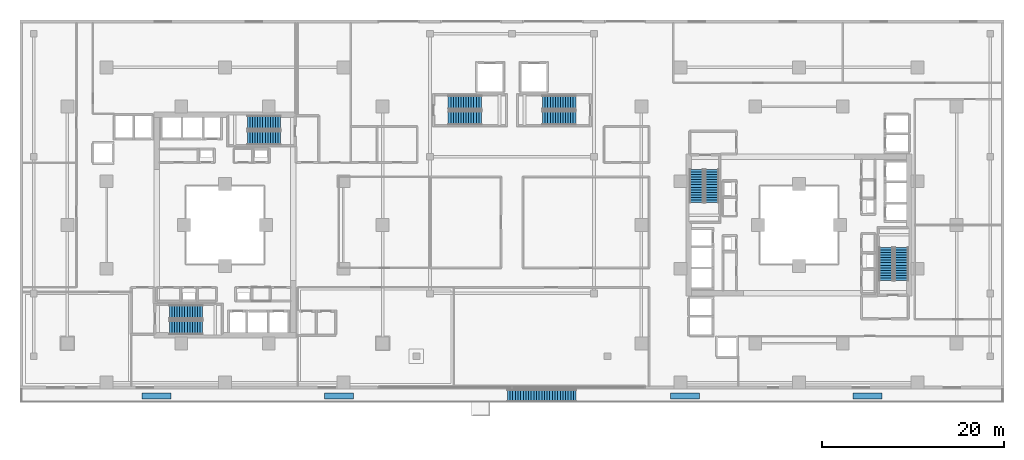
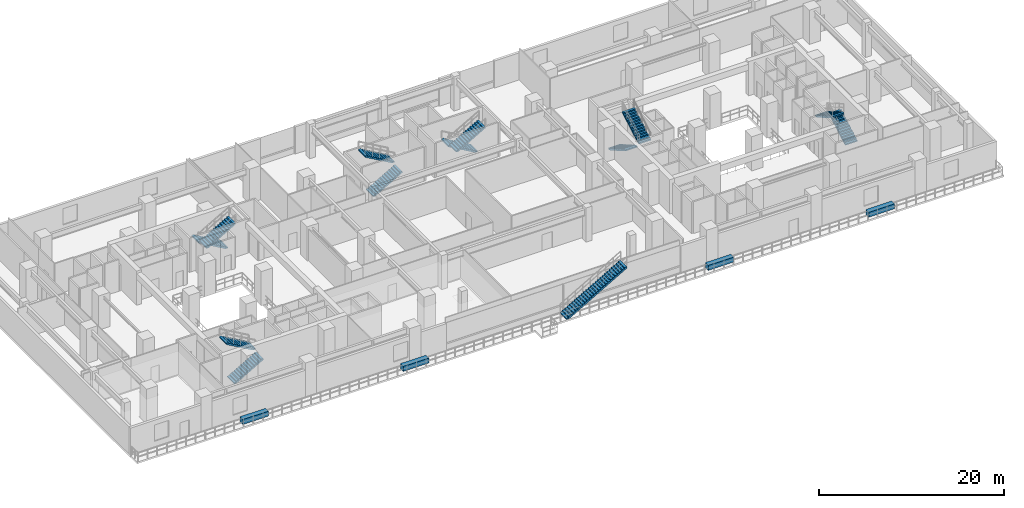
# One storey, part 19 of 24: 13 stair flights, 4 discrete accessories, 7 elements without a shape of their own.
"""IFC4 building model written with IfcOpenShell, lengths in metres."""

from ifc_helpers import new_model, si_unit, direction, frame, origin, origin_2d, place, context, subcontext, project, spatial, polyline, rectangle, outline, extrude, material, type_object, element, aggregate, save


model = new_model("IFC4")

# Units and contexts
model_context = context("Model", 3, precision=1e-05, world=origin(), true_north=direction((0.0, 1.0)))
body_context = subcontext(model_context, "Body", "Model", "MODEL_VIEW")
ifc_project = project(units=[si_unit("LENGTHUNIT", "METRE"), si_unit("AREAUNIT", "SQUARE_METRE"), si_unit("VOLUMEUNIT", "CUBIC_METRE"), si_unit("PLANEANGLEUNIT", "RADIAN"), si_unit("MASSUNIT", "GRAM", prefix="KILO")], contexts=[model_context])

# Site, building, storey
site_placement = place(None, origin())
site = spatial("IfcSite", under=ifc_project, at=site_placement, CompositionType="ELEMENT")
building_placement = place(site_placement, origin())
building = spatial("IfcBuilding", under=site, at=building_placement, Name="Thornwick Lancets Civic Towers", CompositionType="ELEMENT")
storey_placement = place(building_placement, frame((0.0, 0.0, 14.10009765625)))
storey = spatial("IfcBuildingStorey", under=building, at=storey_placement, Name="L03", CompositionType="ELEMENT", Elevation=14.10009765625)

# Stair, stair flights
ifc_material_1 = material(Name="Concrete C40/50", Category="concrete")
stair_type_1 = type_object("IfcStairType", Name="STAIR_DL_4500", PredefinedType="HALF_TURN_STAIR", material=ifc_material_1)
stair_1_placement = place(storey_placement, origin())
stair_1 = element("IfcStair", 1, at=stair_1_placement, inside=storey, type_object=stair_type_1, Name="L03 Tower A South Exit Stair ST-A1", PredefinedType="HALF_TURN_STAIR")
stair_flight_type_1 = type_object("IfcStairFlightType", Name="FLIGHT_4500", PredefinedType="STRAIGHT", material=ifc_material_1)
stair_flight_1_placement = place(storey_placement, frame((19.39990234375, 15.75, 0.0), z_axis=(0.0, 0.0, 1.0), x_axis=(1.0, 0.0, 0.0)))
stair_flight_1 = element("IfcStairFlight", 2, at=stair_flight_1_placement, type_object=stair_flight_type_1, Name="ST-A1 flight 1", NumberOfRisers=14, NumberOfTreads=13, PredefinedType="STRAIGHT", RiserHeight=0.160714286, TreadLength=0.28, context=body_context, shape_type="SweptSolid", body=[
    extrude(outline(polyline([(0.0, 0.0), (0.0, 0.16064453125), (0.280029296875, 0.16064453125), (0.280029296875, 0.321533203125), (0.56005859375, 0.321533203125), (0.56005859375, 0.482177734375), (0.840087890625, 0.482177734375), (0.840087890625, 0.642822265625), (1.1201171875, 0.642822265625), (1.1201171875, 0.803466796875), (1.39990234375, 0.803466796875), (1.39990234375, 0.96435546875), (1.679931640625, 0.96435546875), (1.679931640625, 1.125), (1.9599609375, 1.125), (1.9599609375, 1.28564453125), (2.239990234375, 1.28564453125), (2.239990234375, 1.446533203125), (2.52001953125, 1.446533203125), (2.52001953125, 1.607177734375), (2.800048828125, 1.607177734375), (2.800048828125, 1.767822265625), (3.080078125, 1.767822265625), (3.080078125, 1.928466796875), (3.360107421875, 1.928466796875), (3.360107421875, 2.08935546875), (3.639892578125, 2.08935546875), (3.639892578125, 2.25), (3.639892578125, 1.91650390625), (0.301025390625, 0.0), (0.0, 0.0)])), frame((0.0, 0.75, 0.0), z_axis=(0.0, -1.0, 0.0), x_axis=(1.0, 0.0, 0.0)), (0.0, 0.0, 1.0), 1.5),
])
stair_flight_2_placement = place(storey_placement, frame((23.0400390625, 17.449951171875, 2.25), z_axis=(0.0, 0.0, 1.0), x_axis=(-1.0, 0.0, 0.0)))
stair_flight_2 = element("IfcStairFlight", 3, at=stair_flight_2_placement, type_object=stair_flight_type_1, Name="ST-A1 flight 2", NumberOfRisers=14, NumberOfTreads=13, PredefinedType="STRAIGHT", RiserHeight=0.160714286, TreadLength=0.28, context=body_context, shape_type="SweptSolid", body=[
    extrude(outline(polyline([(0.0, 0.0), (0.0, 0.16064453125), (0.280029296875, 0.16064453125), (0.280029296875, 0.321533203125), (0.56005859375, 0.321533203125), (0.56005859375, 0.482177734375), (0.840087890625, 0.482177734375), (0.840087890625, 0.642822265625), (1.1201171875, 0.642822265625), (1.1201171875, 0.803466796875), (1.39990234375, 0.803466796875), (1.39990234375, 0.96435546875), (1.679931640625, 0.96435546875), (1.679931640625, 1.125), (1.9599609375, 1.125), (1.9599609375, 1.28564453125), (2.239990234375, 1.28564453125), (2.239990234375, 1.446533203125), (2.52001953125, 1.446533203125), (2.52001953125, 1.607177734375), (2.800048828125, 1.607177734375), (2.800048828125, 1.767822265625), (3.080078125, 1.767822265625), (3.080078125, 1.928466796875), (3.360107421875, 1.928466796875), (3.360107421875, 2.08935546875), (3.639892578125, 2.08935546875), (3.639892578125, 2.25), (3.639892578125, 1.91650390625), (0.301025390625, 0.0), (0.0, 0.0)])), frame((0.0, 0.75, 0.0), z_axis=(0.0, -1.0, 0.0), x_axis=(1.0, 0.0, 0.0)), (0.0, 0.0, 1.0), 1.5),
])
aggregate(stair_1, [stair_flight_1, stair_flight_2])

stair_2_placement = place(storey_placement, origin())
stair_2 = element("IfcStair", 4, at=stair_2_placement, inside=storey, type_object=stair_type_1, Name="L03 Tower A North Exit Stair ST-A2", PredefinedType="HALF_TURN_STAIR")
stair_flight_3_placement = place(storey_placement, frame((31.60009765625, 38.25, 0.0), z_axis=(0.0, 0.0, 1.0), x_axis=(-1.0, 0.0, 0.0)))
stair_flight_3 = element("IfcStairFlight", 5, at=stair_flight_3_placement, type_object=stair_flight_type_1, Name="ST-A2 flight 1", NumberOfRisers=14, NumberOfTreads=13, PredefinedType="STRAIGHT", RiserHeight=0.160714286, TreadLength=0.28, context=body_context, shape_type="SweptSolid", body=[
    extrude(outline(polyline([(0.0, 0.0), (0.0, 0.16064453125), (0.280029296875, 0.16064453125), (0.280029296875, 0.321533203125), (0.56005859375, 0.321533203125), (0.56005859375, 0.482177734375), (0.840087890625, 0.482177734375), (0.840087890625, 0.642822265625), (1.1201171875, 0.642822265625), (1.1201171875, 0.803466796875), (1.39990234375, 0.803466796875), (1.39990234375, 0.96435546875), (1.679931640625, 0.96435546875), (1.679931640625, 1.125), (1.9599609375, 1.125), (1.9599609375, 1.28564453125), (2.239990234375, 1.28564453125), (2.239990234375, 1.446533203125), (2.52001953125, 1.446533203125), (2.52001953125, 1.607177734375), (2.800048828125, 1.607177734375), (2.800048828125, 1.767822265625), (3.080078125, 1.767822265625), (3.080078125, 1.928466796875), (3.360107421875, 1.928466796875), (3.360107421875, 2.08935546875), (3.639892578125, 2.08935546875), (3.639892578125, 2.25), (3.639892578125, 1.91650390625), (0.301025390625, 0.0), (0.0, 0.0)])), frame((0.0, 0.75, 0.0), z_axis=(0.0, -1.0, 0.0), x_axis=(1.0, 0.0, 0.0)), (0.0, 0.0, 1.0), 1.5),
])
stair_flight_4_placement = place(storey_placement, frame((27.9599609375, 36.550048828125, 2.25), z_axis=(0.0, 0.0, 1.0), x_axis=(1.0, 0.0, 0.0)))
stair_flight_4 = element("IfcStairFlight", 6, at=stair_flight_4_placement, type_object=stair_flight_type_1, Name="ST-A2 flight 2", NumberOfRisers=14, NumberOfTreads=13, PredefinedType="STRAIGHT", RiserHeight=0.160714286, TreadLength=0.28, context=body_context, shape_type="SweptSolid", body=[
    extrude(outline(polyline([(0.0, 0.0), (0.0, 0.16064453125), (0.280029296875, 0.16064453125), (0.280029296875, 0.321533203125), (0.56005859375, 0.321533203125), (0.56005859375, 0.482177734375), (0.840087890625, 0.482177734375), (0.840087890625, 0.642822265625), (1.1201171875, 0.642822265625), (1.1201171875, 0.803466796875), (1.39990234375, 0.803466796875), (1.39990234375, 0.96435546875), (1.679931640625, 0.96435546875), (1.679931640625, 1.125), (1.9599609375, 1.125), (1.9599609375, 1.28564453125), (2.239990234375, 1.28564453125), (2.239990234375, 1.446533203125), (2.52001953125, 1.446533203125), (2.52001953125, 1.607177734375), (2.800048828125, 1.607177734375), (2.800048828125, 1.767822265625), (3.080078125, 1.767822265625), (3.080078125, 1.928466796875), (3.360107421875, 1.928466796875), (3.360107421875, 2.08935546875), (3.639892578125, 2.08935546875), (3.639892578125, 2.25), (3.639892578125, 1.91650390625), (0.301025390625, 0.0), (0.0, 0.0)])), frame((0.0, 0.75, 0.0), z_axis=(0.0, -1.0, 0.0), x_axis=(1.0, 0.0, 0.0)), (0.0, 0.0, 1.0), 1.5),
])
aggregate(stair_2, [stair_flight_3, stair_flight_4])

stair_3_placement = place(storey_placement, origin())
stair_3 = element("IfcStair", 7, at=stair_3_placement, inside=storey, type_object=stair_type_1, Name="L03 Tower B East Exit Stair ST-B1", PredefinedType="HALF_TURN_STAIR")
stair_flight_5_placement = place(storey_placement, frame((99.75, 20.89990234375, 0.0), z_axis=(0.0, 0.0, 1.0), x_axis=(0.0, 1.0, 0.0)))
stair_flight_5 = element("IfcStairFlight", 8, at=stair_flight_5_placement, type_object=stair_flight_type_1, Name="ST-B1 flight 1", NumberOfRisers=14, NumberOfTreads=13, PredefinedType="STRAIGHT", RiserHeight=0.160714286, TreadLength=0.28, context=body_context, shape_type="SweptSolid", body=[
    extrude(outline(polyline([(0.0, 0.0), (0.0, 0.16064453125), (0.280029296875, 0.16064453125), (0.280029296875, 0.321533203125), (0.56005859375, 0.321533203125), (0.56005859375, 0.482177734375), (0.840087890625, 0.482177734375), (0.840087890625, 0.642822265625), (1.1201171875, 0.642822265625), (1.1201171875, 0.803466796875), (1.39990234375, 0.803466796875), (1.39990234375, 0.96435546875), (1.679931640625, 0.96435546875), (1.679931640625, 1.125), (1.9599609375, 1.125), (1.9599609375, 1.28564453125), (2.239990234375, 1.28564453125), (2.239990234375, 1.446533203125), (2.52001953125, 1.446533203125), (2.52001953125, 1.607177734375), (2.800048828125, 1.607177734375), (2.800048828125, 1.767822265625), (3.080078125, 1.767822265625), (3.080078125, 1.928466796875), (3.360107421875, 1.928466796875), (3.360107421875, 2.08935546875), (3.639892578125, 2.08935546875), (3.639892578125, 2.25), (3.639892578125, 1.91650390625), (0.301025390625, 0.0), (0.0, 0.0)])), frame((0.0, 0.75, 0.0), z_axis=(0.0, -1.0, 0.0), x_axis=(1.0, 0.0, 0.0)), (0.0, 0.0, 1.0), 1.5),
])
stair_flight_6_placement = place(storey_placement, frame((98.050048828125, 24.5400390625, 2.25), z_axis=(0.0, 0.0, 1.0), x_axis=(0.0, -1.0, 0.0)))
stair_flight_6 = element("IfcStairFlight", 9, at=stair_flight_6_placement, type_object=stair_flight_type_1, Name="ST-B1 flight 2", NumberOfRisers=14, NumberOfTreads=13, PredefinedType="STRAIGHT", RiserHeight=0.160714286, TreadLength=0.28, context=body_context, shape_type="SweptSolid", body=[
    extrude(outline(polyline([(0.0, 0.0), (0.0, 0.16064453125), (0.280029296875, 0.16064453125), (0.280029296875, 0.321533203125), (0.56005859375, 0.321533203125), (0.56005859375, 0.482177734375), (0.840087890625, 0.482177734375), (0.840087890625, 0.642822265625), (1.1201171875, 0.642822265625), (1.1201171875, 0.803466796875), (1.39990234375, 0.803466796875), (1.39990234375, 0.96435546875), (1.679931640625, 0.96435546875), (1.679931640625, 1.125), (1.9599609375, 1.125), (1.9599609375, 1.28564453125), (2.239990234375, 1.28564453125), (2.239990234375, 1.446533203125), (2.52001953125, 1.446533203125), (2.52001953125, 1.607177734375), (2.800048828125, 1.607177734375), (2.800048828125, 1.767822265625), (3.080078125, 1.767822265625), (3.080078125, 1.928466796875), (3.360107421875, 1.928466796875), (3.360107421875, 2.08935546875), (3.639892578125, 2.08935546875), (3.639892578125, 2.25), (3.639892578125, 1.91650390625), (0.301025390625, 0.0), (0.0, 0.0)])), frame((0.0, 0.75, 0.0), z_axis=(0.0, -1.0, 0.0), x_axis=(1.0, 0.0, 0.0)), (0.0, 0.0, 1.0), 1.5),
])
aggregate(stair_3, [stair_flight_5, stair_flight_6])

stair_4_placement = place(storey_placement, origin())
stair_4 = element("IfcStair", 10, at=stair_4_placement, inside=storey, type_object=stair_type_1, Name="L03 Tower B West Exit Stair ST-B2", PredefinedType="HALF_TURN_STAIR")
stair_flight_7_placement = place(storey_placement, frame((77.25, 33.10009765625, 0.0), z_axis=(0.0, 0.0, 1.0), x_axis=(0.0, -1.0, 0.0)))
stair_flight_7 = element("IfcStairFlight", 11, at=stair_flight_7_placement, type_object=stair_flight_type_1, Name="ST-B2 flight 1", NumberOfRisers=14, NumberOfTreads=13, PredefinedType="STRAIGHT", RiserHeight=0.160714286, TreadLength=0.28, context=body_context, shape_type="SweptSolid", body=[
    extrude(outline(polyline([(0.0, 0.0), (0.0, 0.16064453125), (0.280029296875, 0.16064453125), (0.280029296875, 0.321533203125), (0.56005859375, 0.321533203125), (0.56005859375, 0.482177734375), (0.840087890625, 0.482177734375), (0.840087890625, 0.642822265625), (1.1201171875, 0.642822265625), (1.1201171875, 0.803466796875), (1.39990234375, 0.803466796875), (1.39990234375, 0.96435546875), (1.679931640625, 0.96435546875), (1.679931640625, 1.125), (1.9599609375, 1.125), (1.9599609375, 1.28564453125), (2.239990234375, 1.28564453125), (2.239990234375, 1.446533203125), (2.52001953125, 1.446533203125), (2.52001953125, 1.607177734375), (2.800048828125, 1.607177734375), (2.800048828125, 1.767822265625), (3.080078125, 1.767822265625), (3.080078125, 1.928466796875), (3.360107421875, 1.928466796875), (3.360107421875, 2.08935546875), (3.639892578125, 2.08935546875), (3.639892578125, 2.25), (3.639892578125, 1.91650390625), (0.301025390625, 0.0), (0.0, 0.0)])), frame((0.0, 0.75, 0.0), z_axis=(0.0, -1.0, 0.0), x_axis=(1.0, 0.0, 0.0)), (0.0, 0.0, 1.0), 1.5),
])
stair_flight_8_placement = place(storey_placement, frame((78.949951171875, 29.4599609375, 2.25), z_axis=(0.0, 0.0, 1.0), x_axis=(0.0, 1.0, 0.0)))
stair_flight_8 = element("IfcStairFlight", 12, at=stair_flight_8_placement, type_object=stair_flight_type_1, Name="ST-B2 flight 2", NumberOfRisers=14, NumberOfTreads=13, PredefinedType="STRAIGHT", RiserHeight=0.160714286, TreadLength=0.28, context=body_context, shape_type="SweptSolid", body=[
    extrude(outline(polyline([(0.0, 0.0), (0.0, 0.16064453125), (0.280029296875, 0.16064453125), (0.280029296875, 0.321533203125), (0.56005859375, 0.321533203125), (0.56005859375, 0.482177734375), (0.840087890625, 0.482177734375), (0.840087890625, 0.642822265625), (1.1201171875, 0.642822265625), (1.1201171875, 0.803466796875), (1.39990234375, 0.803466796875), (1.39990234375, 0.96435546875), (1.679931640625, 0.96435546875), (1.679931640625, 1.125), (1.9599609375, 1.125), (1.9599609375, 1.28564453125), (2.239990234375, 1.28564453125), (2.239990234375, 1.446533203125), (2.52001953125, 1.446533203125), (2.52001953125, 1.607177734375), (2.800048828125, 1.607177734375), (2.800048828125, 1.767822265625), (3.080078125, 1.767822265625), (3.080078125, 1.928466796875), (3.360107421875, 1.928466796875), (3.360107421875, 2.08935546875), (3.639892578125, 2.08935546875), (3.639892578125, 2.25), (3.639892578125, 1.91650390625), (0.301025390625, 0.0), (0.0, 0.0)])), frame((0.0, 0.75, 0.0), z_axis=(0.0, -1.0, 0.0), x_axis=(1.0, 0.0, 0.0)), (0.0, 0.0, 1.0), 1.5),
])
aggregate(stair_4, [stair_flight_7, stair_flight_8])

stair_5_placement = place(storey_placement, origin())
stair_5 = element("IfcStair", 13, at=stair_5_placement, inside=storey, type_object=stair_type_1, Name="L03 Podium Central West Exit Stair ST-P5", PredefinedType="HALF_TURN_STAIR")
stair_flight_9_placement = place(storey_placement, frame((50.0, 38.75, 0.0), z_axis=(0.0, 0.0, 1.0), x_axis=(1.0, 0.0, 0.0)))
stair_flight_9 = element("IfcStairFlight", 14, at=stair_flight_9_placement, type_object=stair_flight_type_1, Name="ST-P5 flight 1", NumberOfRisers=14, NumberOfTreads=13, PredefinedType="STRAIGHT", RiserHeight=0.160714286, TreadLength=0.28, context=body_context, shape_type="SweptSolid", body=[
    extrude(outline(polyline([(0.0, 0.0), (0.0, 0.16064453125), (0.280029296875, 0.16064453125), (0.280029296875, 0.321533203125), (0.56005859375, 0.321533203125), (0.56005859375, 0.482177734375), (0.840087890625, 0.482177734375), (0.840087890625, 0.642822265625), (1.1201171875, 0.642822265625), (1.1201171875, 0.803466796875), (1.39990234375, 0.803466796875), (1.39990234375, 0.96435546875), (1.679931640625, 0.96435546875), (1.679931640625, 1.125), (1.9599609375, 1.125), (1.9599609375, 1.28564453125), (2.239990234375, 1.28564453125), (2.239990234375, 1.446533203125), (2.52001953125, 1.446533203125), (2.52001953125, 1.607177734375), (2.800048828125, 1.607177734375), (2.800048828125, 1.767822265625), (3.080078125, 1.767822265625), (3.080078125, 1.928466796875), (3.360107421875, 1.928466796875), (3.360107421875, 2.08935546875), (3.639892578125, 2.08935546875), (3.639892578125, 2.25), (3.639892578125, 1.91650390625), (0.301025390625, 0.0), (0.0, 0.0)])), frame((0.0, 0.75, 0.0), z_axis=(0.0, -1.0, 0.0), x_axis=(1.0, 0.0, 0.0)), (0.0, 0.0, 1.0), 1.5),
])
stair_flight_10_placement = place(storey_placement, frame((53.639892578125, 40.449951171875, 2.25), z_axis=(0.0, 0.0, 1.0), x_axis=(-1.0, 0.0, 0.0)))
stair_flight_10 = element("IfcStairFlight", 15, at=stair_flight_10_placement, type_object=stair_flight_type_1, Name="ST-P5 flight 2", NumberOfRisers=14, NumberOfTreads=13, PredefinedType="STRAIGHT", RiserHeight=0.160714286, TreadLength=0.28, context=body_context, shape_type="SweptSolid", body=[
    extrude(outline(polyline([(0.0, 0.0), (0.0, 0.16064453125), (0.280029296875, 0.16064453125), (0.280029296875, 0.321533203125), (0.56005859375, 0.321533203125), (0.56005859375, 0.482177734375), (0.840087890625, 0.482177734375), (0.840087890625, 0.642822265625), (1.1201171875, 0.642822265625), (1.1201171875, 0.803466796875), (1.39990234375, 0.803466796875), (1.39990234375, 0.96435546875), (1.679931640625, 0.96435546875), (1.679931640625, 1.125), (1.9599609375, 1.125), (1.9599609375, 1.28564453125), (2.239990234375, 1.28564453125), (2.239990234375, 1.446533203125), (2.52001953125, 1.446533203125), (2.52001953125, 1.607177734375), (2.800048828125, 1.607177734375), (2.800048828125, 1.767822265625), (3.080078125, 1.767822265625), (3.080078125, 1.928466796875), (3.360107421875, 1.928466796875), (3.360107421875, 2.08935546875), (3.639892578125, 2.08935546875), (3.639892578125, 2.25), (3.639892578125, 1.91650390625), (0.301025390625, 0.0), (0.0, 0.0)])), frame((0.0, 0.75, 0.0), z_axis=(0.0, -1.0, 0.0), x_axis=(1.0, 0.0, 0.0)), (0.0, 0.0, 1.0), 1.5),
])
aggregate(stair_5, [stair_flight_9, stair_flight_10])

stair_6_placement = place(storey_placement, origin())
stair_6 = element("IfcStair", 16, at=stair_6_placement, inside=storey, type_object=stair_type_1, Name="L03 Podium Central East Exit Stair ST-P6", PredefinedType="HALF_TURN_STAIR")
stair_flight_11_placement = place(storey_placement, frame((64.0, 40.449951171875, 0.0), z_axis=(0.0, 0.0, 1.0), x_axis=(-1.0, 0.0, 0.0)))
stair_flight_11 = element("IfcStairFlight", 17, at=stair_flight_11_placement, type_object=stair_flight_type_1, Name="ST-P6 flight 1", NumberOfRisers=14, NumberOfTreads=13, PredefinedType="STRAIGHT", RiserHeight=0.160714286, TreadLength=0.28, context=body_context, shape_type="SweptSolid", body=[
    extrude(outline(polyline([(0.0, 0.0), (0.0, 0.16064453125), (0.280029296875, 0.16064453125), (0.280029296875, 0.321533203125), (0.56005859375, 0.321533203125), (0.56005859375, 0.482177734375), (0.840087890625, 0.482177734375), (0.840087890625, 0.642822265625), (1.1201171875, 0.642822265625), (1.1201171875, 0.803466796875), (1.39990234375, 0.803466796875), (1.39990234375, 0.96435546875), (1.679931640625, 0.96435546875), (1.679931640625, 1.125), (1.9599609375, 1.125), (1.9599609375, 1.28564453125), (2.239990234375, 1.28564453125), (2.239990234375, 1.446533203125), (2.52001953125, 1.446533203125), (2.52001953125, 1.607177734375), (2.800048828125, 1.607177734375), (2.800048828125, 1.767822265625), (3.080078125, 1.767822265625), (3.080078125, 1.928466796875), (3.360107421875, 1.928466796875), (3.360107421875, 2.08935546875), (3.639892578125, 2.08935546875), (3.639892578125, 2.25), (3.639892578125, 1.91650390625), (0.301025390625, 0.0), (0.0, 0.0)])), frame((0.0, 0.75, 0.0), z_axis=(0.0, -1.0, 0.0), x_axis=(1.0, 0.0, 0.0)), (0.0, 0.0, 1.0), 1.5),
])
stair_flight_12_placement = place(storey_placement, frame((60.360107421875, 38.75, 2.25), z_axis=(0.0, 0.0, 1.0), x_axis=(1.0, 0.0, 0.0)))
stair_flight_12 = element("IfcStairFlight", 18, at=stair_flight_12_placement, type_object=stair_flight_type_1, Name="ST-P6 flight 2", NumberOfRisers=14, NumberOfTreads=13, PredefinedType="STRAIGHT", RiserHeight=0.160714286, TreadLength=0.28, context=body_context, shape_type="SweptSolid", body=[
    extrude(outline(polyline([(0.0, 0.0), (0.0, 0.16064453125), (0.280029296875, 0.16064453125), (0.280029296875, 0.321533203125), (0.56005859375, 0.321533203125), (0.56005859375, 0.482177734375), (0.840087890625, 0.482177734375), (0.840087890625, 0.642822265625), (1.1201171875, 0.642822265625), (1.1201171875, 0.803466796875), (1.39990234375, 0.803466796875), (1.39990234375, 0.96435546875), (1.679931640625, 0.96435546875), (1.679931640625, 1.125), (1.9599609375, 1.125), (1.9599609375, 1.28564453125), (2.239990234375, 1.28564453125), (2.239990234375, 1.446533203125), (2.52001953125, 1.446533203125), (2.52001953125, 1.607177734375), (2.800048828125, 1.607177734375), (2.800048828125, 1.767822265625), (3.080078125, 1.767822265625), (3.080078125, 1.928466796875), (3.360107421875, 1.928466796875), (3.360107421875, 2.08935546875), (3.639892578125, 2.08935546875), (3.639892578125, 2.25), (3.639892578125, 1.91650390625), (0.301025390625, 0.0), (0.0, 0.0)])), frame((0.0, 0.75, 0.0), z_axis=(0.0, -1.0, 0.0), x_axis=(1.0, 0.0, 0.0)), (0.0, 0.0, 1.0), 1.5),
])
aggregate(stair_6, [stair_flight_11, stair_flight_12])

# Stair, stair flight
ifc_material_2 = material(Name="Granite-faced concrete C40/50", Category="masonry")
stair_type_2 = type_object("IfcStairType", Name="STAIR_CASCADE", PredefinedType="STRAIGHT_RUN_STAIR", material=ifc_material_2)
stair_7_placement = place(storey_placement, origin())
stair_7 = element("IfcStair", 19, at=stair_7_placement, inside=storey, type_object=stair_type_2, Name="L03 Cascading Garden Stair 4", PredefinedType="STRAIGHT_RUN_STAIR")
stair_flight_type_2 = type_object("IfcStairFlightType", Name="FLIGHT_CASCADE", PredefinedType="STRAIGHT", material=ifc_material_2)
stair_flight_13_placement = place(storey_placement, frame((56.5, 8.260009765625, 0.0), z_axis=(0.0, 0.0, 1.0), x_axis=(1.0, 0.0, 0.0)))
stair_flight_13 = element("IfcStairFlight", 20, at=stair_flight_13_placement, type_object=stair_flight_type_2, Name="STC-4 flight 1", NumberOfRisers=27, NumberOfTreads=26, PredefinedType="STRAIGHT", RiserHeight=0.166667, TreadLength=0.29, context=body_context, shape_type="SweptSolid", body=[
    extrude(outline(polyline([(0.0, 0.0), (0.0, 0.166748046875), (0.2900390625, 0.166748046875), (0.2900390625, 0.333251953125), (0.580078125, 0.333251953125), (0.580078125, 0.5), (0.8701171875, 0.5), (0.8701171875, 0.666748046875), (1.159912109375, 0.666748046875), (1.159912109375, 0.833251953125), (1.449951171875, 0.833251953125), (1.449951171875, 1.0), (1.739990234375, 1.0), (1.739990234375, 1.166748046875), (2.030029296875, 1.166748046875), (2.030029296875, 1.333251953125), (2.320068359375, 1.333251953125), (2.320068359375, 1.5), (2.610107421875, 1.5), (2.610107421875, 1.666748046875), (2.89990234375, 1.666748046875), (2.89990234375, 1.833251953125), (3.18994140625, 1.833251953125), (3.18994140625, 2.0), (3.47998046875, 2.0), (3.47998046875, 2.166748046875), (3.77001953125, 2.166748046875), (3.77001953125, 2.333251953125), (4.06005859375, 2.333251953125), (4.06005859375, 2.5), (4.35009765625, 2.5), (4.35009765625, 2.666748046875), (4.639892578125, 2.666748046875), (4.639892578125, 2.833251953125), (4.929931640625, 2.833251953125), (4.929931640625, 3.0), (5.219970703125, 3.0), (5.219970703125, 3.166748046875), (5.510009765625, 3.166748046875), (5.510009765625, 3.333251953125), (5.800048828125, 3.333251953125), (5.800048828125, 3.5), (6.090087890625, 3.5), (6.090087890625, 3.666748046875), (6.3798828125, 3.666748046875), (6.3798828125, 3.833251953125), (6.669921875, 3.833251953125), (6.669921875, 4.0), (6.9599609375, 4.0), (6.9599609375, 4.166748046875), (7.25, 4.166748046875), (7.25, 4.333251953125), (7.5400390625, 4.333251953125), (7.5400390625, 4.5), (7.5400390625, 4.125732421875), (0.361083984375, 0.0), (0.0, 0.0)])), frame((0.0, 0.68994140625, 0.0), z_axis=(0.0, -1.0, 0.0), x_axis=(1.0, 0.0, 0.0)), (0.0, 0.0, 1.0), 1.3798828125),
])
aggregate(stair_7, [stair_flight_13])

# Discrete accessories
ifc_material_3 = material(Name="Planted terracotta greenery planter", Category="masonry")
discrete_accessory_type = type_object("IfcDiscreteAccessoryType", Name="ACC_PLANTER_BOX", PredefinedType="USERDEFINED", material=ifc_material_3)
for number, where, z_axis, x_axis, name in (
    (21, (18.0, 8.25, 0.0), (0.0, 0.0, 1.0), (1.0, 0.0, 0.0), "L03 Cascading Terrace Planter 18"),
    (22, (38.0, 8.25, 0.0), (0.0, 0.0, 1.0), (1.0, 0.0, 0.0), "L03 Cascading Terrace Planter 38"),
    (23, (76.0, 8.25, 0.0), (0.0, 0.0, 1.0), (1.0, 0.0, 0.0), "L03 Cascading Terrace Planter 76"),
    (24, (96.0, 8.25, 0.0), (0.0, 0.0, 1.0), (1.0, 0.0, 0.0), "L03 Cascading Terrace Planter 96"),
):
    element("IfcDiscreteAccessory", number, at=place(storey_placement, frame(where, z_axis=z_axis, x_axis=x_axis)), inside=storey, type_object=discrete_accessory_type, Name=name, ObjectType="PLANTER", PredefinedType="USERDEFINED", context=body_context, shape_type="SweptSolid", body=[
        extrude(rectangle(XDim=3.199951171875, YDim=0.64990234375, at=origin_2d()), origin(), (0.0, 0.0, 1.0), 0.64990234375),
    ])

save(model, "model.ifc")
